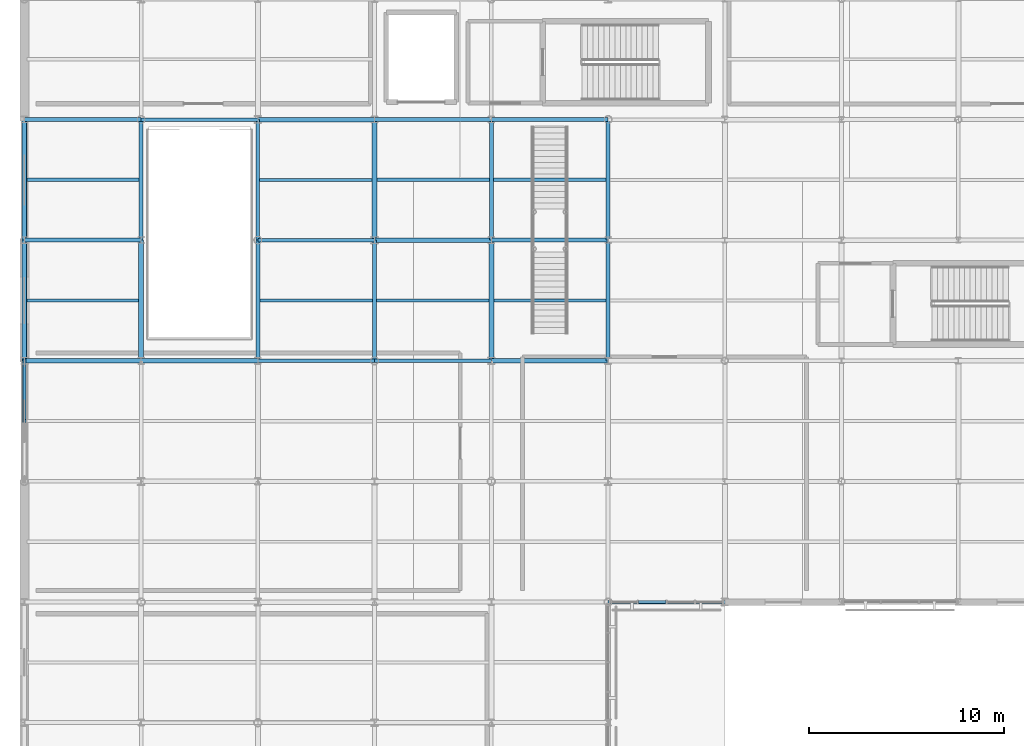
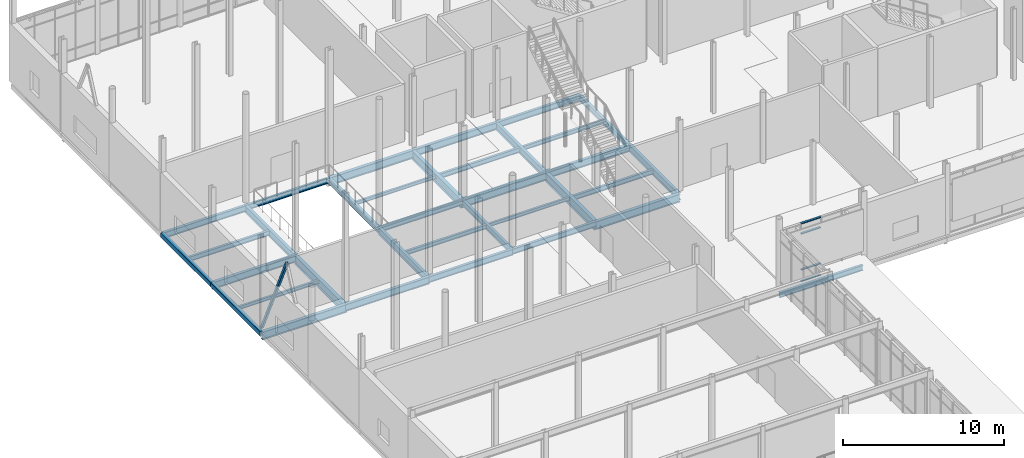
# One storey, part 25 of 105: 35 beams, 5 members, 1 element without a shape of its own.
"""IFC4 building model written with IfcOpenShell, lengths in metres."""

from ifc_helpers import new_model, si_unit, direction, frame, origin, origin_2d, place, context, subcontext, project, spatial, rectangle, hollow_rectangle, i_section, extrude, material, layer, layer_set, material_profile, profile_set, type_object, element, aggregate, save


model = new_model("IFC4")

# Units and contexts
model_context = context("Model", 3, precision=1e-05, world=origin(), true_north=direction((0.0, 1.0)))
body_context = subcontext(model_context, "Body", "Model", "MODEL_VIEW")
ifc_project = project(units=[si_unit("LENGTHUNIT", "METRE"), si_unit("AREAUNIT", "SQUARE_METRE"), si_unit("VOLUMEUNIT", "CUBIC_METRE"), si_unit("PLANEANGLEUNIT", "RADIAN"), si_unit("MASSUNIT", "GRAM", prefix="KILO")], contexts=[model_context])

# Site, building, storey
site_placement = place(None, origin())
site = spatial("IfcSite", under=ifc_project, at=site_placement, CompositionType="ELEMENT")
building_placement = place(site_placement, origin())
building = spatial("IfcBuilding", under=site, at=building_placement, Name="Mirzam Square Science Centre", CompositionType="ELEMENT")
storey_placement = place(building_placement, frame((0.0, 0.0, 5.39990234375)))
storey = spatial("IfcBuildingStorey", under=building, at=storey_placement, Name="L01", CompositionType="ELEMENT", Elevation=5.39990234375)

# Beams
ifc_material_1 = material(Name="Steel S355", Category="steel")
ifc_material_profile_1 = material_profile(ifc_material_1, i_section(OverallWidth=0.1787109375, OverallDepth=0.409423828125, WebThickness=0.0087890625, FlangeThickness=0.014404296875, FilletRadius=0.01025390625, at=origin_2d()), Name="406x178x67UB")
ifc_profile_set_1 = profile_set([ifc_material_profile_1], Name="Steel S355")
beam_type_1 = type_object("IfcBeamType", Name="BM-UB406", PredefinedType="BEAM", material=ifc_profile_set_1)
for number, where, z_axis, x_axis, name in (
    (1, (30.0, 37.199951171875, -0.464599609375), (1.0, 0.0, 0.0), (0.0, 1.0, 0.0), "L01 girder X6-7"),
    (2, (18.0, 49.60009765625, -0.464599609375), (1.0, 0.0, 0.0), (0.0, 1.0, 0.0), "L01 girder X4-9"),
    (3, (12.0, 55.800048828125, -0.464599609375), (1.0, 0.0, 0.0), (0.0, 1.0, 0.0), "L01 girder X3-10"),
    (4, (6.0, 62.0, -0.464599609375), (1.0, 0.0, 0.0), (0.0, 1.0, 0.0), "L01 girder X2-11"),
):
    element("IfcBeam", number, at=place(storey_placement, frame(where, z_axis=z_axis, x_axis=x_axis)), inside=storey, type_object=beam_type_1, Name=name, PredefinedType="BEAM", context=body_context, shape_type="SweptSolid", body=[
        extrude(i_section(OverallWidth=0.1787109375, OverallDepth=0.409423828125, WebThickness=0.0087890625, FlangeThickness=0.014404296875, FilletRadius=0.01025390625, at=origin_2d()), origin(), (0.0, 0.0, 1.0), 6.0),
    ])
ifc_material_profile_2 = material_profile(ifc_material_1, i_section(OverallWidth=0.19140625, OverallDepth=0.4599609375, WebThickness=0.010009765625, FlangeThickness=0.01611328125, FilletRadius=0.01025390625, at=origin_2d()), Name="457x191x82UB")
ifc_profile_set_2 = profile_set([ifc_material_profile_2], Name="Steel S355")
beam_type_2 = type_object("IfcBeamType", Name="BM-UB457", PredefinedType="BEAM", material=ifc_profile_set_2)
for number, where, z_axis, x_axis, name in (
    (5, (12.0, 49.60009765625, -0.489990234375), (1.0, 0.0, 0.0), (0.0, 1.0, 0.0), "L01 girder X3-9"),
    (6, (0.0, 62.0, -0.489990234375), (1.0, 0.0, 0.0), (0.0, 1.0, 0.0), "L01 girder X1-11"),
    (7, (24.0, 62.0, -0.489990234375), (1.0, 0.0, 0.0), (0.0, 1.0, 0.0), "L01 girder X5-11"),
):
    element("IfcBeam", number, at=place(storey_placement, frame(where, z_axis=z_axis, x_axis=x_axis)), inside=storey, type_object=beam_type_2, Name=name, PredefinedType="BEAM", context=body_context, shape_type="SweptSolid", body=[
        extrude(i_section(OverallWidth=0.19140625, OverallDepth=0.4599609375, WebThickness=0.010009765625, FlangeThickness=0.01611328125, FilletRadius=0.01025390625, at=origin_2d()), origin(), (0.0, 0.0, 1.0), 6.0),
    ])
for number, where, z_axis, x_axis, name in (
    (8, (12.0, 55.800048828125, -0.489990234375), (0.0, 1.0, 0.0), (-1.0, 0.0, 0.0), "L01 girder Y3-10"),
    (9, (18.0, 49.60009765625, -0.489990234375), (0.0, 1.0, 0.0), (-1.0, 0.0, 0.0), "L01 girder Y4-9"),
    (10, (30.0, 55.800048828125, -0.489990234375), (0.0, 1.0, 0.0), (-1.0, 0.0, 0.0), "L01 girder Y6-10"),
):
    element("IfcBeam", number, at=place(storey_placement, frame(where, z_axis=z_axis, x_axis=x_axis)), inside=storey, type_object=beam_type_2, Name=name, PredefinedType="BEAM", context=body_context, shape_type="SweptSolid", body=[
        extrude(i_section(OverallWidth=0.19140625, OverallDepth=0.4599609375, WebThickness=0.010009765625, FlangeThickness=0.01611328125, FilletRadius=0.01025390625, at=origin_2d()), origin(), (0.0, 0.0, 1.0), 6.199951171875),
    ])
ifc_material_profile_3 = material_profile(ifc_material_1, i_section(OverallWidth=0.2099609375, OverallDepth=0.53662109375, WebThickness=0.0107421875, FlangeThickness=0.017333984375, FilletRadius=0.0126953125, at=origin_2d()), Name="533x210x101UB")
ifc_profile_set_3 = profile_set([ifc_material_profile_3], Name="Steel S355")
beam_type_3 = type_object("IfcBeamType", Name="BM-UB533", PredefinedType="BEAM", material=ifc_profile_set_3)
for number, where, z_axis, x_axis, name in (
    (11, (6.0, 49.60009765625, -0.5283203125), (1.0, 0.0, 0.0), (0.0, 1.0, 0.0), "L01 girder X2-9"),
    (12, (0.0, 55.800048828125, -0.5283203125), (1.0, 0.0, 0.0), (0.0, 1.0, 0.0), "L01 girder X1-10"),
    (13, (24.0, 55.800048828125, -0.5283203125), (1.0, 0.0, 0.0), (0.0, 1.0, 0.0), "L01 girder X5-10"),
    (14, (18.0, 62.0, -0.5283203125), (1.0, 0.0, 0.0), (0.0, 1.0, 0.0), "L01 girder X4-11"),
):
    element("IfcBeam", number, at=place(storey_placement, frame(where, z_axis=z_axis, x_axis=x_axis)), inside=storey, type_object=beam_type_3, Name=name, PredefinedType="BEAM", context=body_context, shape_type="SweptSolid", body=[
        extrude(i_section(OverallWidth=0.2099609375, OverallDepth=0.53662109375, WebThickness=0.0107421875, FlangeThickness=0.017333984375, FilletRadius=0.0126953125, at=origin_2d()), origin(), (0.0, 0.0, 1.0), 6.0),
    ])
for number, where, z_axis, x_axis, name in (
    (15, (6.0, 55.800048828125, -0.5283203125), (0.0, 1.0, 0.0), (-1.0, 0.0, 0.0), "L01 girder Y2-10"),
    (16, (12.0, 49.60009765625, -0.5283203125), (0.0, 1.0, 0.0), (-1.0, 0.0, 0.0), "L01 girder Y3-9"),
    (17, (24.0, 55.800048828125, -0.5283203125), (0.0, 1.0, 0.0), (-1.0, 0.0, 0.0), "L01 girder Y5-10"),
    (18, (30.0, 49.60009765625, -0.5283203125), (0.0, 1.0, 0.0), (-1.0, 0.0, 0.0), "L01 girder Y6-9"),
):
    element("IfcBeam", number, at=place(storey_placement, frame(where, z_axis=z_axis, x_axis=x_axis)), inside=storey, type_object=beam_type_3, Name=name, PredefinedType="BEAM", context=body_context, shape_type="SweptSolid", body=[
        extrude(i_section(OverallWidth=0.2099609375, OverallDepth=0.53662109375, WebThickness=0.0107421875, FlangeThickness=0.017333984375, FilletRadius=0.0126953125, at=origin_2d()), origin(), (0.0, 0.0, 1.0), 6.199951171875),
    ])
ifc_material_profile_4 = material_profile(ifc_material_1, i_section(OverallWidth=0.22900390625, OverallDepth=0.6123046875, WebThickness=0.011962890625, FlangeThickness=0.01953125, FilletRadius=0.0126953125, at=origin_2d()), Name="610x229x125UB")
ifc_profile_set_4 = profile_set([ifc_material_profile_4], Name="Steel S355")
beam_type_4 = type_object("IfcBeamType", Name="BM-UB610", PredefinedType="BEAM", material=ifc_profile_set_4)
for number, where, z_axis, x_axis, name in (
    (19, (0.0, 49.60009765625, -0.56591796875), (1.0, 0.0, 0.0), (0.0, 1.0, 0.0), "L01 girder X1-9"),
    (20, (24.0, 49.60009765625, -0.56591796875), (1.0, 0.0, 0.0), (0.0, 1.0, 0.0), "L01 girder X5-9"),
    (21, (18.0, 55.800048828125, -0.56591796875), (1.0, 0.0, 0.0), (0.0, 1.0, 0.0), "L01 girder X4-10"),
    (22, (12.0, 62.0, -0.56591796875), (1.0, 0.0, 0.0), (0.0, 1.0, 0.0), "L01 girder X3-11"),
):
    element("IfcBeam", number, at=place(storey_placement, frame(where, z_axis=z_axis, x_axis=x_axis)), inside=storey, type_object=beam_type_4, Name=name, PredefinedType="BEAM", context=body_context, shape_type="SweptSolid", body=[
        extrude(i_section(OverallWidth=0.22900390625, OverallDepth=0.6123046875, WebThickness=0.011962890625, FlangeThickness=0.01953125, FilletRadius=0.0126953125, at=origin_2d()), origin(), (0.0, 0.0, 1.0), 6.0),
    ])
ifc_material_profile_5 = material_profile(ifc_material_1, i_section(OverallWidth=0.25439453125, OverallDepth=0.6875, WebThickness=0.01318359375, FlangeThickness=0.02099609375, FilletRadius=0.01513671875, at=origin_2d()), Name="686x254x152UB")
ifc_profile_set_5 = profile_set([ifc_material_profile_5], Name="Steel S355")
beam_type_5 = type_object("IfcBeamType", Name="BM-UB686", PredefinedType="BEAM", material=ifc_profile_set_5)
for number, where, z_axis, x_axis, name in (
    (23, (6.0, 49.60009765625, -0.603759765625), (0.0, 1.0, 0.0), (-1.0, 0.0, 0.0), "L01 girder Y2-9"),
    (24, (18.0, 55.800048828125, -0.603759765625), (0.0, 1.0, 0.0), (-1.0, 0.0, 0.0), "L01 girder Y4-10"),
    (25, (24.0, 49.60009765625, -0.603759765625), (0.0, 1.0, 0.0), (-1.0, 0.0, 0.0), "L01 girder Y5-9"),
):
    element("IfcBeam", number, at=place(storey_placement, frame(where, z_axis=z_axis, x_axis=x_axis)), inside=storey, type_object=beam_type_5, Name=name, PredefinedType="BEAM", context=body_context, shape_type="SweptSolid", body=[
        extrude(i_section(OverallWidth=0.25439453125, OverallDepth=0.6875, WebThickness=0.01318359375, FlangeThickness=0.02099609375, FilletRadius=0.01513671875, at=origin_2d()), origin(), (0.0, 0.0, 1.0), 6.199951171875),
    ])

# Member
ifc_material_profile_6 = material_profile(ifc_material_1, hollow_rectangle(XDim=0.179931640625, YDim=0.179931640625, WallThickness=0.010009765625, InnerFilletRadius=0.010009765625, OuterFilletRadius=0.02001953125, at=origin_2d()), Name="180x180x10.0SHS")
ifc_profile_set_6 = profile_set([ifc_material_profile_6], Name="Steel S355")
member_type_1 = type_object("IfcMemberType", Name="BR-SHS180", PredefinedType="BRACE", material=ifc_profile_set_6)
member_1_placement = place(storey_placement, frame((0.0, 49.60009765625, 0.050048828125), z_axis=(0.0, -0.417435611906, 0.908706503725), x_axis=(1.0, 0.0, 0.0)))
element("IfcMember", 26, at=member_1_placement, inside=storey, type_object=member_type_1, Name="L01 chevron brace 1B", PredefinedType="BRACE", context=body_context, shape_type="SweptSolid", body=[
    extrude(hollow_rectangle(XDim=0.179931640625, YDim=0.179931640625, WallThickness=0.010009765625, InnerFilletRadius=0.010009765625, OuterFilletRadius=0.02001953125, at=origin_2d()), origin(), (0.0, 0.0, 1.0), 7.426513671875),
])

# Curtain wall, members
ifc_material_2 = material(Name="Anodised Aluminium and Low-E Solar Glass", Category="aluminium")
ifc_layer = layer(ifc_material_2, 0.179931640625)
ifc_layer_set = layer_set([ifc_layer], Name="CW-LINK-A")
curtain_wall_type = type_object("IfcCurtainWallType", Name="CW-LINK-A", PredefinedType="USERDEFINED", material=ifc_layer_set)
curtain_wall_placement = place(storey_placement, origin())
curtain_wall = element("IfcCurtainWall", 27, at=curtain_wall_placement, inside=storey, type_object=curtain_wall_type, Name="L01 unitised curtain wall 18", ObjectType="UNITISED CURTAIN WALL", PredefinedType="USERDEFINED")
ifc_material_3 = material(Name="Anodised Architectural Aluminium 6063-T6", Category="aluminium")
ifc_material_profile_7 = material_profile(ifc_material_3, rectangle(XDim=0.14990234375, YDim=0.06494140625, at=origin_2d()), Name="ALU-TRAN-150x65x4")
ifc_profile_set_7 = profile_set([ifc_material_profile_7], Name="Anodised Architectural Aluminium 6063-T6")
member_type_2 = type_object("IfcMemberType", Name="CWT-150", PredefinedType="USERDEFINED", material=ifc_profile_set_7)
member_2_placement = place(storey_placement, frame((31.56005859375, 37.199951171875, 0.03271484375), z_axis=(1.0, 0.0, 0.0), x_axis=(0.0, 1.0, 0.0)))
member_2 = element("IfcMember", 28, at=member_2_placement, type_object=member_type_2, Name="CW-08 transom 2.1", ObjectType="TRANSOM", PredefinedType="USERDEFINED", context=body_context, shape_type="SweptSolid", body=[
    extrude(rectangle(XDim=0.14990234375, YDim=0.06494140625, at=origin_2d()), origin(), (0.0, 0.0, 1.0), 1.407470703125),
])
member_3_placement = place(storey_placement, frame((31.56005859375, 37.199951171875, 0.900146484375), z_axis=(1.0, 0.0, 0.0), x_axis=(0.0, 1.0, 0.0)))
member_3 = element("IfcMember", 29, at=member_3_placement, type_object=member_type_2, Name="CW-08 transom 2.2", ObjectType="TRANSOM", PredefinedType="USERDEFINED", context=body_context, shape_type="SweptSolid", body=[
    extrude(rectangle(XDim=0.14990234375, YDim=0.06494140625, at=origin_2d()), origin(), (0.0, 0.0, 1.0), 1.407470703125),
])
member_4_placement = place(storey_placement, frame((31.56005859375, 37.199951171875, 3.64013671875), z_axis=(1.0, 0.0, 0.0), x_axis=(0.0, 1.0, 0.0)))
member_4 = element("IfcMember", 30, at=member_4_placement, type_object=member_type_2, Name="CW-08 transom 2.3", ObjectType="TRANSOM", PredefinedType="USERDEFINED", context=body_context, shape_type="SweptSolid", body=[
    extrude(rectangle(XDim=0.14990234375, YDim=0.06494140625, at=origin_2d()), origin(), (0.0, 0.0, 1.0), 1.407470703125),
])
member_5_placement = place(storey_placement, frame((31.56005859375, 37.199951171875, 4.40771484375), z_axis=(1.0, 0.0, 0.0), x_axis=(0.0, 1.0, 0.0)))
member_5 = element("IfcMember", 31, at=member_5_placement, type_object=member_type_2, Name="CW-08 transom 2.4", ObjectType="TRANSOM", PredefinedType="USERDEFINED", context=body_context, shape_type="SweptSolid", body=[
    extrude(rectangle(XDim=0.14990234375, YDim=0.06494140625, at=origin_2d()), origin(), (0.0, 0.0, 1.0), 1.407470703125),
])
aggregate(curtain_wall, [member_2, member_3, member_4, member_5])

# Beams
ifc_material_profile_8 = material_profile(ifc_material_1, i_section(OverallWidth=0.146484375, OverallDepth=0.256103515625, WebThickness=0.00634765625, FlangeThickness=0.010986328125, FilletRadius=0.007568359375, at=origin_2d()), Name="254x146x37UB")
ifc_profile_set_8 = profile_set([ifc_material_profile_8], Name="Steel S355")
beam_type_6 = type_object("IfcBeamType", Name="JS-UB254", PredefinedType="JOIST", material=ifc_profile_set_8)
beam_1_placement = place(storey_placement, frame((0.125, 52.699951171875, -0.387939453125), z_axis=(1.0, 0.0, 0.0), x_axis=(0.0, 1.0, 0.0)))
element("IfcBeam", 32, at=beam_1_placement, inside=storey, type_object=beam_type_6, Name="L01 composite joist 1-9", PredefinedType="JOIST", context=body_context, shape_type="SweptSolid", body=[
    extrude(i_section(OverallWidth=0.146484375, OverallDepth=0.256103515625, WebThickness=0.00634765625, FlangeThickness=0.010986328125, FilletRadius=0.007568359375, at=origin_2d()), origin(), (0.0, 0.0, 1.0), 5.747802734375),
])
for number, where, z_axis, x_axis, name in (
    (33, (12.095703125, 58.89990234375, -0.387939453125), (1.0, 0.0, 0.0), (0.0, 1.0, 0.0), "L01 composite joist 3-10"),
    (34, (18.095703125, 52.699951171875, -0.387939453125), (1.0, 0.0, 0.0), (0.0, 1.0, 0.0), "L01 composite joist 4-9"),
):
    element("IfcBeam", number, at=place(storey_placement, frame(where, z_axis=z_axis, x_axis=x_axis)), inside=storey, type_object=beam_type_6, Name=name, PredefinedType="JOIST", context=body_context, shape_type="SweptSolid", body=[
        extrude(i_section(OverallWidth=0.146484375, OverallDepth=0.256103515625, WebThickness=0.00634765625, FlangeThickness=0.010986328125, FilletRadius=0.007568359375, at=origin_2d()), origin(), (0.0, 0.0, 1.0), 5.777099609375),
    ])
ifc_material_profile_9 = material_profile(ifc_material_1, i_section(OverallWidth=0.165771484375, OverallDepth=0.306640625, WebThickness=0.006591796875, FlangeThickness=0.01171875, FilletRadius=0.0087890625, at=origin_2d()), Name="305x165x46UB")
ifc_profile_set_9 = profile_set([ifc_material_profile_9], Name="Steel S355")
beam_type_7 = type_object("IfcBeamType", Name="JS-UB305", PredefinedType="JOIST", material=ifc_profile_set_9)
for number, where, z_axis, x_axis, name in (
    (35, (12.10498046875, 52.699951171875, -0.4130859375), (1.0, 0.0, 0.0), (0.0, 1.0, 0.0), "L01 composite joist 3-9"),
    (36, (24.10498046875, 58.89990234375, -0.4130859375), (1.0, 0.0, 0.0), (0.0, 1.0, 0.0), "L01 composite joist 5-10"),
):
    element("IfcBeam", number, at=place(storey_placement, frame(where, z_axis=z_axis, x_axis=x_axis)), inside=storey, type_object=beam_type_7, Name=name, PredefinedType="JOIST", context=body_context, shape_type="SweptSolid", body=[
        extrude(i_section(OverallWidth=0.165771484375, OverallDepth=0.306640625, WebThickness=0.006591796875, FlangeThickness=0.01171875, FilletRadius=0.0087890625, at=origin_2d()), origin(), (0.0, 0.0, 1.0), 5.79931640625),
    ])
ifc_material_profile_10 = material_profile(ifc_material_1, i_section(OverallWidth=0.172119140625, OverallDepth=0.35791015625, WebThickness=0.008056640625, FlangeThickness=0.012939453125, FilletRadius=0.01025390625, at=origin_2d()), Name="356x171x57UB")
ifc_profile_set_10 = profile_set([ifc_material_profile_10], Name="Steel S355")
beam_type_8 = type_object("IfcBeamType", Name="JS-UB356", PredefinedType="JOIST", material=ifc_profile_set_10)
beam_2_placement = place(storey_placement, frame((0.125, 58.89990234375, -0.43896484375), z_axis=(1.0, 0.0, 0.0), x_axis=(0.0, 1.0, 0.0)))
element("IfcBeam", 37, at=beam_2_placement, inside=storey, type_object=beam_type_8, Name="L01 composite joist 1-10", PredefinedType="JOIST", context=body_context, shape_type="SweptSolid", body=[
    extrude(i_section(OverallWidth=0.172119140625, OverallDepth=0.35791015625, WebThickness=0.008056640625, FlangeThickness=0.012939453125, FilletRadius=0.01025390625, at=origin_2d()), origin(), (0.0, 0.0, 1.0), 5.77001953125),
])
for number, where, z_axis, x_axis, name in (
    (38, (18.127197265625, 58.89990234375, -0.43896484375), (1.0, 0.0, 0.0), (0.0, 1.0, 0.0), "L01 composite joist 4-10"),
    (39, (24.127197265625, 52.699951171875, -0.43896484375), (1.0, 0.0, 0.0), (0.0, 1.0, 0.0), "L01 composite joist 5-9"),
):
    element("IfcBeam", number, at=place(storey_placement, frame(where, z_axis=z_axis, x_axis=x_axis)), inside=storey, type_object=beam_type_8, Name=name, PredefinedType="JOIST", context=body_context, shape_type="SweptSolid", body=[
        extrude(i_section(OverallWidth=0.172119140625, OverallDepth=0.35791015625, WebThickness=0.008056640625, FlangeThickness=0.012939453125, FilletRadius=0.01025390625, at=origin_2d()), origin(), (0.0, 0.0, 1.0), 5.767822265625),
    ])
ifc_material_profile_11 = material_profile(ifc_material_1, hollow_rectangle(XDim=0.25, YDim=0.35009765625, WallThickness=0.012451171875, InnerFilletRadius=0.012451171875, OuterFilletRadius=0.02490234375, at=origin_2d()), Name="350x250x12.5RHS")
ifc_profile_set_11 = profile_set([ifc_material_profile_11], Name="Steel S355")
beam_type_9 = type_object("IfcBeamType", Name="SP-RHS350", PredefinedType="SPANDREL", material=ifc_profile_set_11)
for number, where, z_axis, x_axis, name in (
    (40, (0.0, 49.60009765625, -0.434814453125), (0.0, 1.0, 0.0), (-1.0, 0.0, 0.0), "L01 girder Y1-9"),
    (41, (0.0, 55.800048828125, -0.434814453125), (0.0, 1.0, 0.0), (-1.0, 0.0, 0.0), "L01 girder Y1-10"),
):
    element("IfcBeam", number, at=place(storey_placement, frame(where, z_axis=z_axis, x_axis=x_axis)), inside=storey, type_object=beam_type_9, Name=name, PredefinedType="SPANDREL", context=body_context, shape_type="SweptSolid", body=[
        extrude(hollow_rectangle(XDim=0.25, YDim=0.35009765625, WallThickness=0.012451171875, InnerFilletRadius=0.012451171875, OuterFilletRadius=0.02490234375, at=origin_2d()), origin(), (0.0, 0.0, 1.0), 6.199951171875),
    ])

save(model, "model.ifc")
